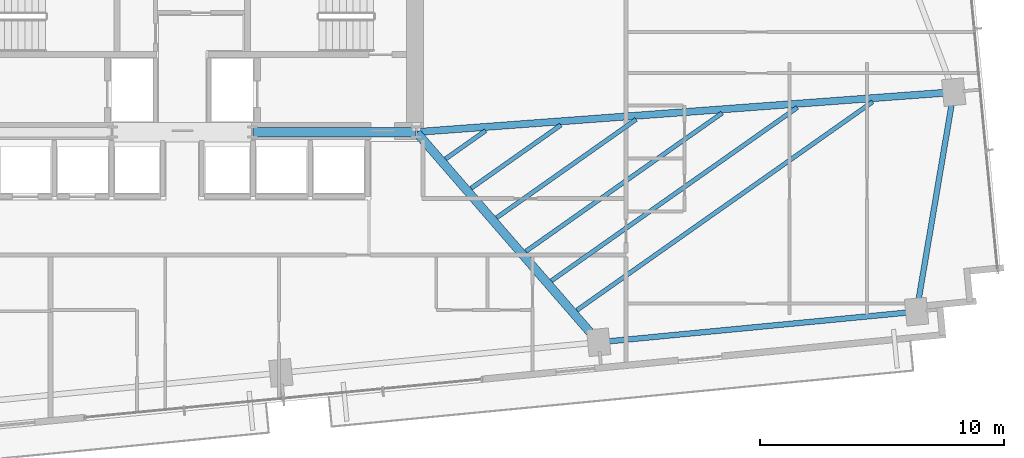
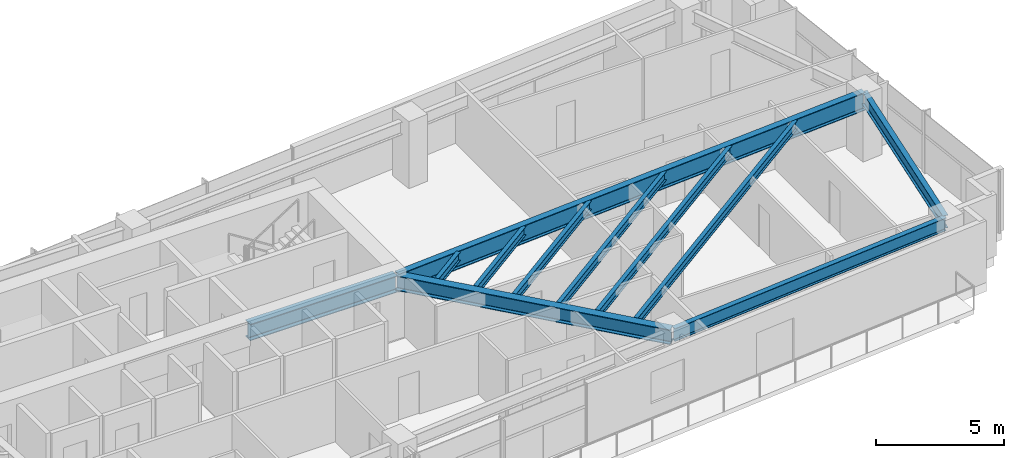
# One storey, part 13 of 25: 11 beams.
"""IFC4 building model written with IfcOpenShell, lengths in metres."""

from ifc_helpers import new_model, si_unit, direction, frame, origin, origin_2d, place, context, subcontext, project, spatial, i_section, extrude, source, transform, mapped, material, material_profile, profile_set, type_object, type_shapes, element, save


model = new_model("IFC4")

# Units and contexts
model_context = context("Model", 3, precision=1e-05, world=origin(), true_north=direction((0.0, 1.0)))
body_context = subcontext(model_context, "Body", "Model", "MODEL_VIEW")
ifc_project = project(units=[si_unit("LENGTHUNIT", "METRE"), si_unit("AREAUNIT", "SQUARE_METRE"), si_unit("VOLUMEUNIT", "CUBIC_METRE"), si_unit("PLANEANGLEUNIT", "RADIAN"), si_unit("MASSUNIT", "GRAM", prefix="KILO")], contexts=[model_context])

# Site, building, storey
site_placement = place(None, origin())
site = spatial("IfcSite", under=ifc_project, at=site_placement, CompositionType="ELEMENT")
building_placement = place(site_placement, origin())
building = spatial("IfcBuilding", under=site, at=building_placement, Name="Astriad Promenade Condominiums", CompositionType="ELEMENT")
storey_placement = place(building_placement, frame((0.0, 0.0, 77.800048828125)))
storey = spatial("IfcBuildingStorey", under=building, at=storey_placement, Name="L21", CompositionType="ELEMENT", Elevation=77.800048828125)

# Beams
ifc_material = material(Name="Steel ASTM A992 Grade 50", Category="steel")
ifc_material_profile_1 = material_profile(ifc_material, i_section(OverallWidth=0.3837890625, OverallDepth=0.785888671875, WebThickness=0.019775390625, FlangeThickness=0.033447265625, FilletRadius=0.021484375, at=origin_2d()), Name="W30X211")
ifc_profile_set_1 = profile_set([ifc_material_profile_1], Name="Steel ASTM A992 Grade 50")
beam_type_1 = type_object("IfcBeamType", Name="STEEL FLOOR GIRDER W30X211", PredefinedType="BEAM", material=ifc_profile_set_1)
shared_shape_1 = source(origin(), body_context, "Body", "SweptSolid", [
    extrude(i_section(OverallWidth=0.3837890625, OverallDepth=0.785888671875, WebThickness=0.019775390625, FlangeThickness=0.033447265625, FilletRadius=0.021484375, at=origin_2d()), origin(), (0.0, 0.0, 1.0), 6.64013671875),
])
type_shapes(beam_type_1, [shared_shape_1])
beam_1_placement = place(storey_placement, frame((38.919921875, 17.39990234375, 2.546875), z_axis=(1.0, 0.0, 0.0), x_axis=(0.0, 1.0, 0.0)))
element("IfcBeam", 1, at=beam_1_placement, inside=storey, type_object=beam_type_1, Name="Core Ring Beam CG-S3-L21", PredefinedType="BEAM", context=body_context, shape_type="MappedRepresentation", body=[
    mapped(shared_shape_1, transform((0.0, 0.0, 0.0), scale=1.0)),
])
ifc_material_profile_2 = material_profile(ifc_material, i_section(OverallWidth=0.22900390625, OverallDepth=0.612060546875, WebThickness=0.011962890625, FlangeThickness=0.01953125, FilletRadius=0.017822265625, at=origin_2d()), Name="W24X84")
ifc_profile_set_2 = profile_set([ifc_material_profile_2], Name="Steel ASTM A992 Grade 50")
beam_type_2 = type_object("IfcBeamType", Name="STEEL SPANDREL BEAM W24X84", PredefinedType="SPANDREL", material=ifc_profile_set_2)
shared_shape_2 = source(origin(), body_context, "Body", "SweptSolid", [
    extrude(i_section(OverallWidth=0.22900390625, OverallDepth=0.612060546875, WebThickness=0.011962890625, FlangeThickness=0.01953125, FilletRadius=0.017822265625, at=origin_2d()), origin(), (0.0, 0.0, 1.0), 13.020263671875),
])
beam_2_placement = place(storey_placement, frame((53.124755859375, 8.780029296875, 2.6337890625), z_axis=(0.995395311238, 0.095854965264, 0.0), x_axis=(-0.095854965264, 0.995395311238, 0.0)))
element("IfcBeam", 2, at=beam_2_placement, inside=storey, type_object=beam_type_2, Name="Perimeter Spandrel Beam SP-S4-L21", PredefinedType="SPANDREL", context=body_context, shape_type="MappedRepresentation", body=[
    mapped(shared_shape_2, transform((0.0, 0.0, 0.0), scale=1.0)),
])
shared_shape_3 = source(origin(), body_context, "Body", "SweptSolid", [
    extrude(i_section(OverallWidth=0.22900390625, OverallDepth=0.612060546875, WebThickness=0.011962890625, FlangeThickness=0.01953125, FilletRadius=0.017822265625, at=origin_2d()), origin(), (0.0, 0.0, 1.0), 9.055419921875),
])
type_shapes(beam_type_2, [shared_shape_2, shared_shape_3])
beam_3_placement = place(storey_placement, frame((66.13134765625, 10.0712890625, 2.6337890625), z_axis=(0.166776851291, 0.98599466625, 0.0), x_axis=(-0.98599466625, 0.166776851291, 0.0)))
element("IfcBeam", 3, at=beam_3_placement, inside=storey, type_object=beam_type_2, Name="Perimeter Spandrel Beam SP-E1-L21", PredefinedType="SPANDREL", context=body_context, shape_type="MappedRepresentation", body=[
    mapped(shared_shape_3, transform((0.0, 0.0, 0.0), scale=1.0)),
])
ifc_material_profile_3 = material_profile(ifc_material, i_section(OverallWidth=0.35791015625, OverallDepth=0.706298828125, WebThickness=0.018310546875, FlangeThickness=0.0302734375, FilletRadius=0.020263671875, at=origin_2d()), Name="W27X178")
ifc_profile_set_3 = profile_set([ifc_material_profile_3], Name="Steel ASTM A992 Grade 50")
beam_type_3 = type_object("IfcBeamType", Name="STEEL FLOOR GIRDER W27X178", PredefinedType="BEAM", material=ifc_profile_set_3)
shared_shape_4 = source(origin(), body_context, "Body", "SweptSolid", [
    extrude(i_section(OverallWidth=0.35791015625, OverallDepth=0.706298828125, WebThickness=0.018310546875, FlangeThickness=0.0302734375, FilletRadius=0.020263671875, at=origin_2d()), origin(), (0.0, 0.0, 1.0), 11.339111328125),
])
type_shapes(beam_type_3, [shared_shape_4])
beam_4_placement = place(storey_placement, frame((53.058837890625, 8.806396484375, 2.586669921875), z_axis=(-0.65548120109, 0.755211490258, 0.0), x_axis=(-0.755211490258, -0.65548120109, 0.0)))
element("IfcBeam", 4, at=beam_4_placement, inside=storey, type_object=beam_type_3, Name="Primary Floor Girder PG-E2-L21", PredefinedType="BEAM", context=body_context, shape_type="MappedRepresentation", body=[
    mapped(shared_shape_4, transform((0.0, 0.0, 0.0), scale=1.0)),
])
ifc_material_profile_4 = material_profile(ifc_material, i_section(OverallWidth=0.2919921875, OverallDepth=0.85888671875, WebThickness=0.01708984375, FlangeThickness=0.031005859375, FilletRadius=0.02294921875, at=origin_2d()), Name="W33X169")
ifc_profile_set_4 = profile_set([ifc_material_profile_4], Name="Steel ASTM A992 Grade 50")
beam_type_4 = type_object("IfcBeamType", Name="STEEL PRIMARY GIRDER W33X169", PredefinedType="BEAM", material=ifc_profile_set_4)
shared_shape_5 = source(origin(), body_context, "Body", "SweptSolid", [
    extrude(i_section(OverallWidth=0.2919921875, OverallDepth=0.85888671875, WebThickness=0.01708984375, FlangeThickness=0.031005859375, FilletRadius=0.02294921875, at=origin_2d()), origin(), (0.0, 0.0, 1.0), 22.029052734375),
])
type_shapes(beam_type_4, [shared_shape_5])
beam_5_placement = place(storey_placement, frame((67.6083984375, 19.036376953125, 2.510498046875), z_axis=(-0.99724763887, -0.074142745897, 0.0), x_axis=(0.074142745897, -0.99724763887, 0.0)))
element("IfcBeam", 5, at=beam_5_placement, inside=storey, type_object=beam_type_4, Name="Primary Floor Girder PG-EM-L21", PredefinedType="BEAM", context=body_context, shape_type="MappedRepresentation", body=[
    mapped(shared_shape_5, transform((0.0, 0.0, 0.0), scale=1.0)),
])
ifc_material_profile_5 = material_profile(ifc_material, i_section(OverallWidth=0.180908203125, OverallDepth=0.417236328125, WebThickness=0.010986328125, FlangeThickness=0.018310546875, FilletRadius=0.013916015625, at=origin_2d()), Name="W16X57")
ifc_profile_set_5 = profile_set([ifc_material_profile_5], Name="Steel ASTM A992 Grade 50")
beam_type_5 = type_object("IfcBeamType", Name="STEEL FLOOR JOIST W16X57", PredefinedType="JOIST", material=ifc_profile_set_5)
shared_shape_6 = source(origin(), body_context, "Body", "SweptSolid", [
    extrude(i_section(OverallWidth=0.180908203125, OverallDepth=0.417236328125, WebThickness=0.010986328125, FlangeThickness=0.018310546875, FilletRadius=0.013916015625, at=origin_2d()), origin(), (0.0, 0.0, 1.0), 14.838134765625),
])
beam_6_placement = place(storey_placement, frame((52.192138671875, 10.093017578125, 2.731201171875), z_axis=(0.817419044294, 0.576043493171, 0.0), x_axis=(-0.576043493171, 0.817419044294, 0.0)))
element("IfcBeam", 6, at=beam_6_placement, inside=storey, type_object=beam_type_5, Name="Secondary Composite Floor Joist JE1-1-L21", PredefinedType="JOIST", context=body_context, shape_type="MappedRepresentation", body=[
    mapped(shared_shape_6, transform((0.0, 0.0, 0.0), scale=1.0)),
])
shared_shape_7 = source(origin(), body_context, "Body", "SweptSolid", [
    extrude(i_section(OverallWidth=0.180908203125, OverallDepth=0.417236328125, WebThickness=0.010986328125, FlangeThickness=0.018310546875, FilletRadius=0.013916015625, at=origin_2d()), origin(), (0.0, 0.0, 1.0), 12.34375),
])
beam_7_placement = place(storey_placement, frame((51.144287109375, 11.30029296875, 2.731201171875), z_axis=(0.817418723738, 0.576043948048, 0.0), x_axis=(-0.576043948048, 0.817418723738, 0.0)))
element("IfcBeam", 7, at=beam_7_placement, inside=storey, type_object=beam_type_5, Name="Secondary Composite Floor Joist JE1-2-L21", PredefinedType="JOIST", context=body_context, shape_type="MappedRepresentation", body=[
    mapped(shared_shape_7, transform((0.0, 0.0, 0.0), scale=1.0)),
])
shared_shape_8 = source(origin(), body_context, "Body", "SweptSolid", [
    extrude(i_section(OverallWidth=0.180908203125, OverallDepth=0.417236328125, WebThickness=0.010986328125, FlangeThickness=0.018310546875, FilletRadius=0.013916015625, at=origin_2d()), origin(), (0.0, 0.0, 1.0), 9.849609375),
])
beam_8_placement = place(storey_placement, frame((50.096435546875, 12.507568359375, 2.731201171875), z_axis=(0.817418240833, 0.5760446333, 0.0), x_axis=(-0.5760446333, 0.817418240833, 0.0)))
element("IfcBeam", 8, at=beam_8_placement, inside=storey, type_object=beam_type_5, Name="Secondary Composite Floor Joist JE1-3-L21", PredefinedType="JOIST", context=body_context, shape_type="MappedRepresentation", body=[
    mapped(shared_shape_8, transform((0.0, 0.0, 0.0), scale=1.0)),
])
shared_shape_9 = source(origin(), body_context, "Body", "SweptSolid", [
    extrude(i_section(OverallWidth=0.180908203125, OverallDepth=0.417236328125, WebThickness=0.010986328125, FlangeThickness=0.018310546875, FilletRadius=0.013916015625, at=origin_2d()), origin(), (0.0, 0.0, 1.0), 6.9990234375),
])
beam_9_placement = place(storey_placement, frame((48.898681640625, 13.88720703125, 2.731201171875), z_axis=(0.81742196028, 0.576039355298, 0.0), x_axis=(-0.576039355298, 0.81742196028, 0.0)))
element("IfcBeam", 9, at=beam_9_placement, inside=storey, type_object=beam_type_5, Name="Secondary Composite Floor Joist JE1-4-L21", PredefinedType="JOIST", context=body_context, shape_type="MappedRepresentation", body=[
    mapped(shared_shape_9, transform((0.0, 0.0, 0.0), scale=1.0)),
])
shared_shape_10 = source(origin(), body_context, "Body", "SweptSolid", [
    extrude(i_section(OverallWidth=0.180908203125, OverallDepth=0.417236328125, WebThickness=0.010986328125, FlangeThickness=0.018310546875, FilletRadius=0.013916015625, at=origin_2d()), origin(), (0.0, 0.0, 1.0), 4.504638671875),
])
beam_10_placement = place(storey_placement, frame((47.850830078125, 15.0947265625, 2.731201171875), z_axis=(0.817448215019, 0.576002097012, 0.0), x_axis=(-0.576002097012, 0.817448215019, 0.0)))
element("IfcBeam", 10, at=beam_10_placement, inside=storey, type_object=beam_type_5, Name="Secondary Composite Floor Joist JE1-5-L21", PredefinedType="JOIST", context=body_context, shape_type="MappedRepresentation", body=[
    mapped(shared_shape_10, transform((0.0, 0.0, 0.0), scale=1.0)),
])
shared_shape_11 = source(origin(), body_context, "Body", "SweptSolid", [
    extrude(i_section(OverallWidth=0.180908203125, OverallDepth=0.417236328125, WebThickness=0.010986328125, FlangeThickness=0.018310546875, FilletRadius=0.013916015625, at=origin_2d()), origin(), (0.0, 0.0, 1.0), 2.01025390625),
])
type_shapes(beam_type_5, [shared_shape_6, shared_shape_7, shared_shape_8, shared_shape_9, shared_shape_10, shared_shape_11])
beam_11_placement = place(storey_placement, frame((46.802978515625, 16.302001953125, 2.731201171875), z_axis=(0.8174421453, 0.576010710913, 0.0), x_axis=(-0.576010710913, 0.8174421453, 0.0)))
element("IfcBeam", 11, at=beam_11_placement, inside=storey, type_object=beam_type_5, Name="Secondary Composite Floor Joist JE1-6-L21", PredefinedType="JOIST", context=body_context, shape_type="MappedRepresentation", body=[
    mapped(shared_shape_11, transform((0.0, 0.0, 0.0), scale=1.0)),
])

save(model, "model.ifc")
